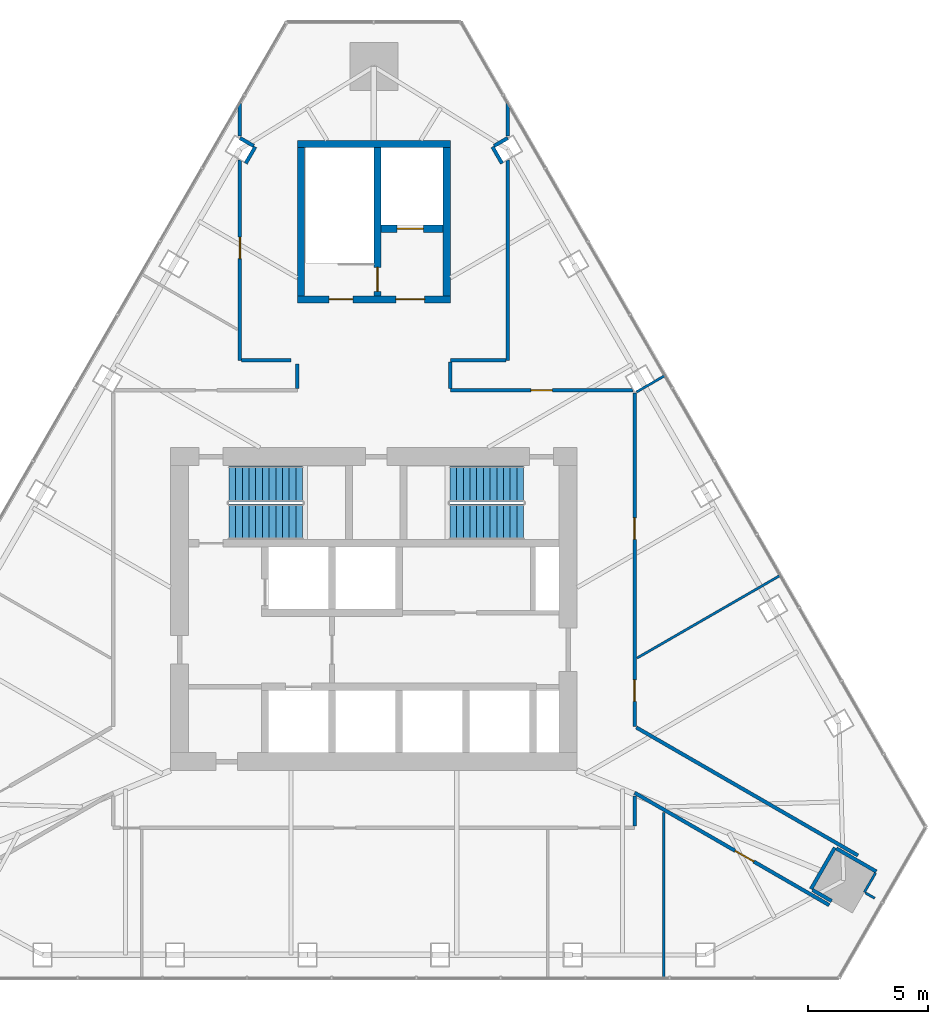
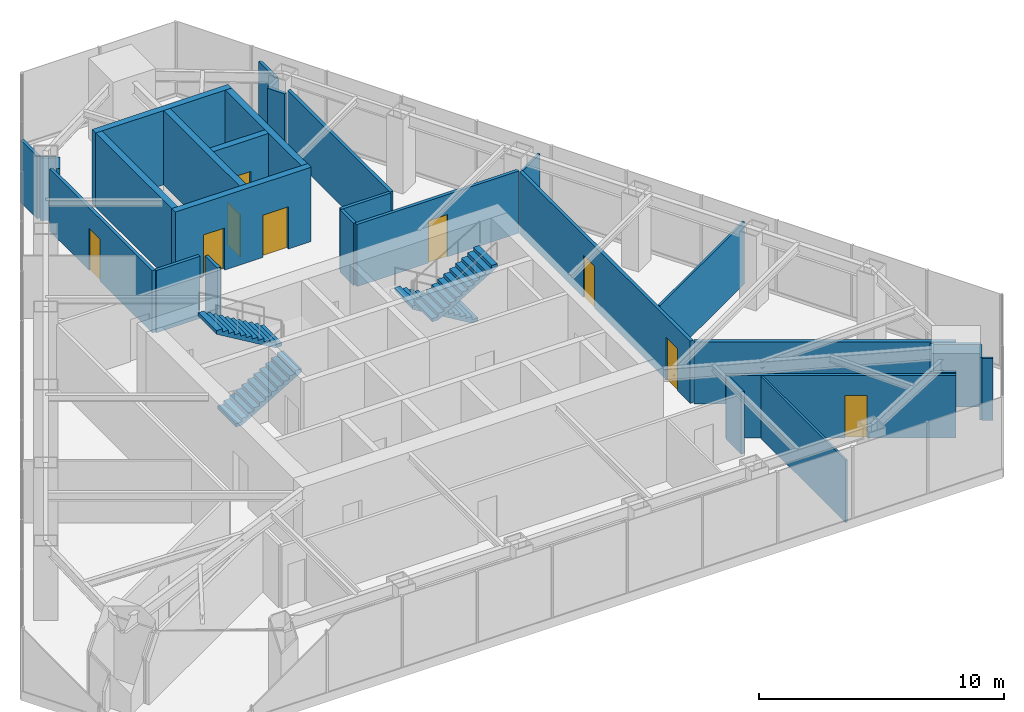
# One storey, part 12 of 13: 31 walls, 9 doors, 4 stair flights, 9 openings, 2 elements without a shape of their own.
"""IFC4 building model written with IfcOpenShell, lengths in metres."""

from ifc_helpers import new_model, si_unit, direction, frame, frame_2d, origin, place, context, subcontext, project, spatial, polyline, rectangle, outline, extrude, material, layer, layer_set, type_object, element, fill, aggregate, save


model = new_model("IFC4")

# Units and contexts
model_context = context("Model", 3, precision=1e-05, world=origin(), true_north=direction((0.0, 1.0)))
body_context = subcontext(model_context, "Body", "Model", "MODEL_VIEW")
ifc_project = project(units=[si_unit("LENGTHUNIT", "METRE"), si_unit("AREAUNIT", "SQUARE_METRE"), si_unit("VOLUMEUNIT", "CUBIC_METRE"), si_unit("PLANEANGLEUNIT", "RADIAN"), si_unit("MASSUNIT", "GRAM", prefix="KILO")], contexts=[model_context])

# Site, building, storey
site_placement = place(None, origin())
site = spatial("IfcSite", under=ifc_project, at=site_placement, CompositionType="ELEMENT")
building_placement = place(site_placement, origin())
building = spatial("IfcBuilding", under=site, at=building_placement, Name="Firuza Gate Tower and Library", CompositionType="ELEMENT")
storey_placement = place(building_placement, frame((0.0, 0.0, 335.60009765625)))
storey = spatial("IfcBuildingStorey", under=building, at=storey_placement, Name="L82", CompositionType="ELEMENT", Elevation=335.60009765625)

# Wall, openings, doors
ifc_material_1 = material(Name="Concrete C60/75", Category="concrete")
ifc_layer_1 = layer(ifc_material_1, 0.300048828125)
ifc_layer_set_1 = layer_set([ifc_layer_1], Name="Core wall 300 C60/75")
wall_type_1 = type_object("IfcWallType", Name="Core wall 300 C60/75", PredefinedType="SHEAR", material=ifc_layer_set_1)
wall_1_placement = place(storey_placement, frame((71.800048828125, 87.949951171875, 0.0), z_axis=(0.0, 0.0, 1.0), x_axis=(1.0, 0.0, 0.0)))
wall_1 = element("IfcWall", 1, at=wall_1_placement, inside=storey, type_object=wall_type_1, Name="Core wall L82 18", PredefinedType="SHEAR", context=body_context, shape_type="SweptSolid", body=[
    extrude(rectangle(XDim=6.39990234375, YDim=0.300048828125, at=frame_2d((3.199951171875, 0.0))), origin(), (0.0, 0.0, 1.0), 3.699951171875),
])
opening_1_placement = place(wall_1_placement, frame((1.324951171875, 0.0, 0.0)))
opening_1 = element("IfcOpeningElement", 2, at=opening_1_placement, cuts=wall_1, Name="Opening L82-K07", PredefinedType="OPENING", context=body_context, shape_type="SweptSolid", body=[
    extrude(rectangle(XDim=1.0, YDim=2.10009765625, at=frame_2d((0.5, 1.050048828125))), frame((0.0, 0.16015625, 0.0), z_axis=(0.0, -1.0, 0.0), x_axis=(1.0, 0.0, 0.0)), (0.0, 0.0, 1.0), 0.320068359375),
])
opening_2_placement = place(wall_1_placement, frame((4.125, 0.0, 0.0)))
opening_2 = element("IfcOpeningElement", 3, at=opening_2_placement, cuts=wall_1, Name="Opening L82-K09", PredefinedType="OPENING", context=body_context, shape_type="SweptSolid", body=[
    extrude(rectangle(XDim=1.199951171875, YDim=2.10009765625, at=frame_2d((0.60009765625, 1.050048828125))), frame((0.0, 0.16015625, 0.0), z_axis=(0.0, -1.0, 0.0), x_axis=(1.0, 0.0, 0.0)), (0.0, 0.0, 1.0), 0.320068359375),
])
ifc_material_2 = material(Name="Steel", Category="steel")
door_type_1 = type_object("IfcDoorType", Name="Fire door 1000x2100 FD90", OperationType="NOTDEFINED", PredefinedType="DOOR", material=ifc_material_2)
door_1_placement = place(opening_1_placement, origin())
door_1 = element("IfcDoor", 4, at=door_1_placement, inside=storey, type_object=door_type_1, Name="Door L82-K07", OperationType="SINGLE_SWING_RIGHT", OverallHeight=2.10009765625, OverallWidth=1.0, PredefinedType="DOOR", context=body_context, shape_type="SweptSolid", body=[
    extrude(rectangle(XDim=1.0, YDim=2.10009765625, at=frame_2d((0.5, 1.050048828125))), frame((0.0, 0.02490234375, 0.0), z_axis=(0.0, -1.0, 0.0), x_axis=(1.0, 0.0, 0.0)), (0.0, 0.0, 1.0), 0.050048828125),
])
fill(opening_1, door_1)
ifc_material_3 = material(Name="Steel", Category="steel")
door_type_2 = type_object("IfcDoorType", Name="Fire door 1200x2100 FD30S", OperationType="NOTDEFINED", PredefinedType="DOOR", material=ifc_material_3)
door_2_placement = place(opening_2_placement, origin())
door_2 = element("IfcDoor", 5, at=door_2_placement, inside=storey, type_object=door_type_2, Name="Door L82-K09", OperationType="SINGLE_SWING_RIGHT", OverallHeight=2.10009765625, OverallWidth=1.199951171875, PredefinedType="DOOR", context=body_context, shape_type="SweptSolid", body=[
    extrude(rectangle(XDim=1.199951171875, YDim=2.10009765625, at=frame_2d((0.60009765625, 1.050048828125))), frame((0.0, 0.02490234375, 0.0), z_axis=(0.0, -1.0, 0.0), x_axis=(1.0, 0.0, 0.0)), (0.0, 0.0, 1.0), 0.050048828125),
])
fill(opening_2, door_2)

# Walls
wall_2_placement = place(storey_placement, frame((71.800048828125, 94.449951171875, 0.0), z_axis=(0.0, 0.0, 1.0), x_axis=(1.0, 0.0, 0.0)))
element("IfcWall", 6, at=wall_2_placement, inside=storey, type_object=wall_type_1, Name="Core wall L82 19", PredefinedType="SHEAR", context=body_context, shape_type="SweptSolid", body=[
    extrude(rectangle(XDim=6.39990234375, YDim=0.300048828125, at=frame_2d((3.199951171875, 0.0))), origin(), (0.0, 0.0, 1.0), 3.699951171875),
])
for number, where, z_axis, x_axis, name in (
    (7, (71.949951171875, 88.10009765625, 0.0), (0.0, 0.0, 1.0), (0.0, 1.0, 0.0), "Core wall L82 20"),
    (8, (78.050048828125, 88.10009765625, 0.0), (0.0, 0.0, 1.0), (0.0, 1.0, 0.0), "Core wall L82 21"),
):
    element("IfcWall", number, at=place(storey_placement, frame(where, z_axis=z_axis, x_axis=x_axis)), inside=storey, type_object=wall_type_1, Name=name, PredefinedType="SHEAR", context=body_context, shape_type="SweptSolid", body=[
        extrude(rectangle(XDim=6.199951171875, YDim=0.300048828125, at=frame_2d((3.10009765625, 0.0))), origin(), (0.0, 0.0, 1.0), 3.699951171875),
    ])

# Wall, opening, door
wall_3_placement = place(storey_placement, frame((75.300048828125, 90.89990234375, 0.0), z_axis=(0.0, 0.0, 1.0), x_axis=(1.0, 0.0, 0.0)))
wall_3 = element("IfcWall", 9, at=wall_3_placement, inside=storey, type_object=wall_type_1, Name="Core wall L82 22", PredefinedType="SHEAR", context=body_context, shape_type="SweptSolid", body=[
    extrude(rectangle(XDim=2.599853515625, YDim=0.300048828125, at=frame_2d((1.2998046875, 0.0))), origin(), (0.0, 0.0, 1.0), 3.699951171875),
])
opening_3_placement = place(wall_3_placement, frame((0.675048828125, 0.0, 0.0)))
opening_3 = element("IfcOpeningElement", 10, at=opening_3_placement, cuts=wall_3, Name="Opening LD-SV1-L82", PredefinedType="OPENING", context=body_context, shape_type="SweptSolid", body=[
    extrude(rectangle(XDim=1.10009765625, YDim=2.10009765625, at=frame_2d((0.550048828125, 1.050048828125))), frame((0.0, 0.16015625, 0.0), z_axis=(0.0, -1.0, 0.0), x_axis=(1.0, 0.0, 0.0)), (0.0, 0.0, 1.0), 0.320068359375),
])
ifc_material_4 = material(Name="Stainless steel", Category="steel")
door_type_3 = type_object("IfcDoorType", Name="Lift landing door 1100x2100", OperationType="DOUBLE_DOOR_SLIDING", PredefinedType="DOOR", material=ifc_material_4)
door_3_placement = place(opening_3_placement, origin())
door_3 = element("IfcDoor", 11, at=door_3_placement, inside=storey, type_object=door_type_3, Name="Landing door SV1 L82", OperationType="DOUBLE_DOOR_SLIDING", OverallHeight=2.10009765625, OverallWidth=1.10009765625, PredefinedType="DOOR", context=body_context, shape_type="SweptSolid", body=[
    extrude(rectangle(XDim=1.10009765625, YDim=2.10009765625, at=frame_2d((0.550048828125, 1.050048828125))), frame((0.0, 0.02490234375, 0.0), z_axis=(0.0, -1.0, 0.0), x_axis=(1.0, 0.0, 0.0)), (0.0, 0.0, 1.0), 0.050048828125),
])
fill(opening_3, door_3)

wall_4_placement = place(storey_placement, frame((75.14990234375, 88.10009765625, 0.0), z_axis=(0.0, 0.0, 1.0), x_axis=(0.0, 1.0, 0.0)))
wall_4 = element("IfcWall", 12, at=wall_4_placement, inside=storey, type_object=wall_type_1, Name="Core wall L82 23", PredefinedType="SHEAR", context=body_context, shape_type="SweptSolid", body=[
    extrude(rectangle(XDim=6.199951171875, YDim=0.300048828125, at=frame_2d((3.10009765625, 0.0))), origin(), (0.0, 0.0, 1.0), 3.699951171875),
])
opening_4_placement = place(wall_4_placement, frame((0.18505859375, 0.0, 0.0)))
opening_4 = element("IfcOpeningElement", 13, at=opening_4_placement, cuts=wall_4, Name="Opening L82-K08", PredefinedType="OPENING", context=body_context, shape_type="SweptSolid", body=[
    extrude(rectangle(XDim=1.0, YDim=2.10009765625, at=frame_2d((0.5, 1.050048828125))), frame((0.0, 0.16015625, 0.0), z_axis=(0.0, -1.0, 0.0), x_axis=(1.0, 0.0, 0.0)), (0.0, 0.0, 1.0), 0.320068359375),
])
door_4_placement = place(opening_4_placement, origin())
door_4 = element("IfcDoor", 14, at=door_4_placement, inside=storey, type_object=door_type_1, Name="Door L82-K08", OperationType="SINGLE_SWING_LEFT", OverallHeight=2.10009765625, OverallWidth=1.0, PredefinedType="DOOR", context=body_context, shape_type="SweptSolid", body=[
    extrude(rectangle(XDim=1.0, YDim=2.10009765625, at=frame_2d((0.5, 1.050048828125))), frame((0.0, 0.02490234375, 0.0), z_axis=(0.0, -1.0, 0.0), x_axis=(1.0, 0.0, 0.0)), (0.0, 0.0, 1.0), 0.050048828125),
])
fill(opening_4, door_4)

ifc_material_5 = material(Name="Gypsum board partition")
ifc_layer_2 = layer(ifc_material_5, 0.14990234375)
ifc_layer_set_2 = layer_set([ifc_layer_2], Name="Corridor wall 150 double board on steel studs")
wall_type_2 = type_object("IfcWallType", Name="Corridor wall 150 double board on steel studs", PredefinedType="PARTITIONING", material=ifc_layer_set_2)
wall_5_placement = place(storey_placement, frame((78.199951171875, 84.14990234375, 0.0), z_axis=(0.0, 0.0, 1.0), x_axis=(1.0, 0.0, 0.0)))
wall_5 = element("IfcWall", 15, at=wall_5_placement, inside=storey, type_object=wall_type_2, Name="f:L82:w002", PredefinedType="PARTITIONING", context=body_context, shape_type="SweptSolid", body=[
    extrude(rectangle(XDim=7.6337890625, YDim=0.14990234375, at=frame_2d((3.81689453125, 0.0))), origin(), (0.0, 0.0, 1.0), 3.099853515625),
])
opening_5_placement = place(wall_5_placement, frame((3.366943359375, 0.0, 0.0)))
opening_5 = element("IfcOpeningElement", 16, at=opening_5_placement, cuts=wall_5, Name="Opening L82-05", PredefinedType="OPENING", context=body_context, shape_type="SweptSolid", body=[
    extrude(rectangle(XDim=0.89990234375, YDim=2.10009765625, at=frame_2d((0.449951171875, 1.050048828125))), frame((0.0, 0.0849609375, 0.0), z_axis=(0.0, -1.0, 0.0), x_axis=(1.0, 0.0, 0.0)), (0.0, 0.0, 1.0), 0.169921875),
])
ifc_material_6 = material(Name="Steel door and timber leaf", Category="steel")
door_type_4 = type_object("IfcDoorType", Name="Fire door 900 x 2100 steel frame, timber leaf", OperationType="NOTDEFINED", PredefinedType="DOOR", material=ifc_material_6)
door_5_placement = place(opening_5_placement, origin())
door_5 = element("IfcDoor", 17, at=door_5_placement, inside=storey, type_object=door_type_4, Name="f:L82:d005", OperationType="SINGLE_SWING_LEFT", OverallHeight=2.10009765625, OverallWidth=0.89990234375, PredefinedType="DOOR", context=body_context, shape_type="SweptSolid", body=[
    extrude(rectangle(XDim=0.89990234375, YDim=2.10009765625, at=frame_2d((0.449951171875, 1.050048828125))), frame((0.0, 0.02490234375, 0.0), z_axis=(0.0, -1.0, 0.0), x_axis=(1.0, 0.0, 0.0)), (0.0, 0.0, 1.0), 0.050048828125),
])
fill(opening_5, door_5)

# Walls
wall_6_placement = place(storey_placement, frame((69.4755859375, 85.39990234375, 0.0), z_axis=(0.0, 0.0, 1.0), x_axis=(1.0, 0.0, 0.0)))
element("IfcWall", 18, at=wall_6_placement, inside=storey, type_object=wall_type_2, Name="f:L82:w003", PredefinedType="PARTITIONING", context=body_context, shape_type="SweptSolid", body=[
    extrude(rectangle(XDim=2.06103515625, YDim=0.14990234375, at=frame_2d((1.030517578125, 0.0))), origin(), (0.0, 0.0, 1.0), 3.099853515625),
])
wall_7_placement = place(storey_placement, frame((78.199951171875, 85.39990234375, 0.0), z_axis=(0.0, 0.0, 1.0), x_axis=(1.0, 0.0, 0.0)))
element("IfcWall", 19, at=wall_7_placement, inside=storey, type_object=wall_type_2, Name="f:L82:w004", PredefinedType="PARTITIONING", context=body_context, shape_type="SweptSolid", body=[
    extrude(rectangle(XDim=2.324462890625, YDim=0.14990234375, at=frame_2d((1.162109375, 0.0))), origin(), (0.0, 0.0, 1.0), 3.099853515625),
])
wall_8_placement = place(storey_placement, frame((80.0244140625, 94.363525390625, 0.0), z_axis=(0.0, 0.0, 1.0), x_axis=(0.865995903571, 0.500051092388, 0.0)))
element("IfcWall", 20, at=wall_8_placement, inside=storey, type_object=wall_type_2, Name="f:L82:w012", PredefinedType="PARTITIONING", context=body_context, shape_type="SweptSolid", body=[
    extrude(rectangle(XDim=0.66455078125, YDim=0.14990234375, at=frame_2d((0.332275390625, 0.0))), origin(), (0.0, 0.0, 1.0), 3.099853515625),
])
wall_9_placement = place(storey_placement, frame((93.27587890625, 63.29443359375, 0.0), z_axis=(0.0, 0.0, 1.0), x_axis=(0.499909240568, 0.866077797426, 0.0)))
element("IfcWall", 21, at=wall_9_placement, inside=storey, type_object=wall_type_2, Name="f:L82:w014", PredefinedType="PARTITIONING", context=body_context, shape_type="SweptSolid", body=[
    extrude(rectangle(XDim=1.998779296875, YDim=0.14990234375, at=frame_2d((0.99951171875, 0.0))), origin(), (0.0, 0.0, 1.0), 3.096923828125),
])
wall_10_placement = place(storey_placement, frame((69.640869140625, 93.633544921875, 0.0), z_axis=(0.0, 0.0, 1.0), x_axis=(0.500048565365, 0.865997362742, 0.0)))
element("IfcWall", 22, at=wall_10_placement, inside=storey, type_object=wall_type_2, Name="f:L82:w015", PredefinedType="PARTITIONING", context=body_context, shape_type="SweptSolid", body=[
    extrude(rectangle(XDim=0.79931640625, YDim=0.14990234375, at=frame_2d((0.399658203125, 0.0))), origin(), (0.0, 0.0, 1.0), 3.099853515625),
])
wall_11_placement = place(storey_placement, frame((85.89990234375, 65.925537109375, 0.0), z_axis=(0.0, 0.0, 1.0), x_axis=(0.0, 1.0, 0.0)))
element("IfcWall", 23, at=wall_11_placement, inside=storey, type_object=wall_type_2, Name="f:L82:w017", PredefinedType="PARTITIONING", context=body_context, shape_type="SweptSolid", body=[
    extrude(rectangle(XDim=1.259033203125, YDim=0.14990234375, at=frame_2d((0.62939453125, 0.0))), origin(), (0.0, 0.0, 1.0), 3.096923828125),
])

# Wall, openings, doors
wall_12_placement = place(storey_placement, frame((85.89990234375, 84.03564453125, 0.0), z_axis=(0.0, 0.0, 1.0), x_axis=(0.0, -1.0, 0.0)))
wall_12 = element("IfcWall", 24, at=wall_12_placement, inside=storey, type_object=wall_type_2, Name="f:L82:w018", PredefinedType="PARTITIONING", context=body_context, shape_type="SweptSolid", body=[
    extrude(rectangle(XDim=13.943115234375, YDim=0.14990234375, at=frame_2d((6.9716796875, 0.0))), origin(), (0.0, 0.0, 1.0), 3.099853515625),
])
opening_6_placement = place(wall_12_placement, frame((5.222900390625, 0.0, 0.0)))
opening_6 = element("IfcOpeningElement", 25, at=opening_6_placement, cuts=wall_12, Name="Opening L82-07", PredefinedType="OPENING", context=body_context, shape_type="SweptSolid", body=[
    extrude(rectangle(XDim=0.89990234375, YDim=2.10009765625, at=frame_2d((0.449951171875, 1.050048828125))), frame((0.0, 0.0849609375, 0.0), z_axis=(0.0, -1.0, 0.0), x_axis=(1.0, 0.0, 0.0)), (0.0, 0.0, 1.0), 0.169921875),
])
opening_7_placement = place(wall_12_placement, frame((11.9912109375, 0.0, 0.0)))
opening_7 = element("IfcOpeningElement", 26, at=opening_7_placement, cuts=wall_12, Name="Opening L82-08", PredefinedType="OPENING", context=body_context, shape_type="SweptSolid", body=[
    extrude(rectangle(XDim=0.89990234375, YDim=2.10009765625, at=frame_2d((0.449951171875, 1.050048828125))), frame((0.0, 0.0849609375, 0.0), z_axis=(0.0, -1.0, 0.0), x_axis=(1.0, 0.0, 0.0)), (0.0, 0.0, 1.0), 0.169921875),
])
door_6_placement = place(opening_6_placement, origin())
door_6 = element("IfcDoor", 27, at=door_6_placement, inside=storey, type_object=door_type_4, Name="f:L82:d007", OperationType="SINGLE_SWING_LEFT", OverallHeight=2.10009765625, OverallWidth=0.89990234375, PredefinedType="DOOR", context=body_context, shape_type="SweptSolid", body=[
    extrude(rectangle(XDim=0.89990234375, YDim=2.10009765625, at=frame_2d((0.449951171875, 1.050048828125))), frame((0.0, 0.02490234375, 0.0), z_axis=(0.0, -1.0, 0.0), x_axis=(1.0, 0.0, 0.0)), (0.0, 0.0, 1.0), 0.050048828125),
])
fill(opening_6, door_6)
door_7_placement = place(opening_7_placement, origin())
door_7 = element("IfcDoor", 28, at=door_7_placement, inside=storey, type_object=door_type_4, Name="f:L82:d008", OperationType="SINGLE_SWING_RIGHT", OverallHeight=2.10009765625, OverallWidth=0.89990234375, PredefinedType="DOOR", context=body_context, shape_type="SweptSolid", body=[
    extrude(rectangle(XDim=0.89990234375, YDim=2.10009765625, at=frame_2d((0.449951171875, 1.050048828125))), frame((0.0, 0.02490234375, 0.0), z_axis=(0.0, -1.0, 0.0), x_axis=(1.0, 0.0, 0.0)), (0.0, 0.0, 1.0), 0.050048828125),
])
fill(opening_7, door_7)

# Walls
wall_13_placement = place(storey_placement, frame((80.60009765625, 85.400634765625, 0.0), z_axis=(0.0, 0.0, 1.0), x_axis=(0.0, 1.0, 0.0)))
element("IfcWall", 29, at=wall_13_placement, inside=storey, type_object=wall_type_2, Name="f:L82:w020", PredefinedType="PARTITIONING", context=body_context, shape_type="SweptSolid", body=[
    extrude(rectangle(XDim=8.37060546875, YDim=0.14990234375, at=frame_2d((4.185302734375, 0.0))), origin(), (0.0, 0.0, 1.0), 3.099853515625),
])
wall_14_placement = place(storey_placement, frame((80.60009765625, 94.78271484375, 0.0), z_axis=(0.0, 0.0, 1.0), x_axis=(0.0, 1.0, 0.0)))
element("IfcWall", 30, at=wall_14_placement, inside=storey, type_object=wall_type_2, Name="f:L82:w021", PredefinedType="PARTITIONING", context=body_context, shape_type="SweptSolid", body=[
    extrude(rectangle(XDim=1.352783203125, YDim=0.14990234375, at=frame_2d((0.67626953125, 0.0))), origin(), (0.0, 0.0, 1.0), 3.099853515625),
])
wall_15_placement = place(storey_placement, frame((78.199951171875, 84.22509765625, 0.0), z_axis=(0.0, 0.0, 1.0), x_axis=(0.0, 1.0, 0.0)))
element("IfcWall", 31, at=wall_15_placement, inside=storey, type_object=wall_type_2, Name="f:L82:w022", PredefinedType="PARTITIONING", context=body_context, shape_type="SweptSolid", body=[
    extrude(rectangle(XDim=1.099853515625, YDim=0.14990234375, at=frame_2d((0.5498046875, 0.0))), origin(), (0.0, 0.0, 1.0), 3.099853515625),
])
wall_16_placement = place(storey_placement, frame((71.800048828125, 84.22509765625, 0.0), z_axis=(0.0, 0.0, 1.0), x_axis=(0.0, 1.0, 0.0)))
element("IfcWall", 32, at=wall_16_placement, inside=storey, type_object=wall_type_2, Name="f:L82:w023", PredefinedType="PARTITIONING", context=body_context, shape_type="SweptSolid", body=[
    extrude(rectangle(XDim=1.02294921875, YDim=0.14990234375, at=frame_2d((0.511474609375, 0.0))), origin(), (0.0, 0.0, 1.0), 3.099853515625),
])

# Wall, opening, door
wall_17_placement = place(storey_placement, frame((69.39990234375, 85.400390625, 0.0), z_axis=(0.0, 0.0, 1.0), x_axis=(0.0, 1.0, 0.0)))
wall_17 = element("IfcWall", 33, at=wall_17_placement, inside=storey, type_object=wall_type_2, Name="f:L82:w024", PredefinedType="PARTITIONING", context=body_context, shape_type="SweptSolid", body=[
    extrude(rectangle(XDim=8.370849609375, YDim=0.14990234375, at=frame_2d((4.185546875, 0.0))), origin(), (0.0, 0.0, 1.0), 3.099853515625),
])
opening_8_placement = place(wall_17_placement, frame((4.25048828125, 0.0, 0.0)))
opening_8 = element("IfcOpeningElement", 34, at=opening_8_placement, cuts=wall_17, Name="Opening L82-09", PredefinedType="OPENING", context=body_context, shape_type="SweptSolid", body=[
    extrude(rectangle(XDim=0.89990234375, YDim=2.10009765625, at=frame_2d((0.449951171875, 1.050048828125))), frame((0.0, 0.0849609375, 0.0), z_axis=(0.0, -1.0, 0.0), x_axis=(1.0, 0.0, 0.0)), (0.0, 0.0, 1.0), 0.169921875),
])
door_8_placement = place(opening_8_placement, origin())
door_8 = element("IfcDoor", 35, at=door_8_placement, inside=storey, type_object=door_type_4, Name="f:L82:d009", OperationType="SINGLE_SWING_RIGHT", OverallHeight=2.10009765625, OverallWidth=0.89990234375, PredefinedType="DOOR", context=body_context, shape_type="SweptSolid", body=[
    extrude(rectangle(XDim=0.89990234375, YDim=2.10009765625, at=frame_2d((0.449951171875, 1.050048828125))), frame((0.0, 0.02490234375, 0.0), z_axis=(0.0, -1.0, 0.0), x_axis=(1.0, 0.0, 0.0)), (0.0, 0.0, 1.0), 0.050048828125),
])
fill(opening_8, door_8)

# Walls
wall_18_placement = place(storey_placement, frame((69.39990234375, 94.78271484375, 0.0), z_axis=(0.0, 0.0, 1.0), x_axis=(0.0, 1.0, 0.0)))
element("IfcWall", 36, at=wall_18_placement, inside=storey, type_object=wall_type_2, Name="f:L82:w025", PredefinedType="PARTITIONING", context=body_context, shape_type="SweptSolid", body=[
    extrude(rectangle(XDim=1.352783203125, YDim=0.14990234375, at=frame_2d((0.67626953125, 0.0))), origin(), (0.0, 0.0, 1.0), 3.099853515625),
])
wall_19_placement = place(storey_placement, frame((80.3583984375, 93.63330078125, 0.0), z_axis=(0.0, 0.0, 1.0), x_axis=(-0.499951716245, 0.866053278629, 0.0)))
element("IfcWall", 37, at=wall_19_placement, inside=storey, type_object=wall_type_2, Name="f:L82:w029", PredefinedType="PARTITIONING", context=body_context, shape_type="SweptSolid", body=[
    extrude(rectangle(XDim=0.798828125, YDim=0.14990234375, at=frame_2d((0.3994140625, 0.0))), origin(), (0.0, 0.0, 1.0), 3.099853515625),
])
wall_20_placement = place(storey_placement, frame((69.9755859375, 94.363525390625, 0.0), z_axis=(0.0, 0.0, 1.0), x_axis=(-0.865995903571, 0.500051092388, 0.0)))
element("IfcWall", 38, at=wall_20_placement, inside=storey, type_object=wall_type_2, Name="f:L82:w032", PredefinedType="PARTITIONING", context=body_context, shape_type="SweptSolid", body=[
    extrude(rectangle(XDim=0.66455078125, YDim=0.14990234375, at=frame_2d((0.332275390625, 0.0))), origin(), (0.0, 0.0, 1.0), 3.099853515625),
])
wall_21_placement = place(storey_placement, frame((95.24072265625, 64.69970703125, 0.0), z_axis=(0.0, 0.0, 1.0), x_axis=(-0.866021425885, 0.500006889861, 0.0)))
element("IfcWall", 39, at=wall_21_placement, inside=storey, type_object=wall_type_2, Name="f:L82:w034", PredefinedType="PARTITIONING", context=body_context, shape_type="SweptSolid", body=[
    extrude(rectangle(XDim=10.698974609375, YDim=0.14990234375, at=frame_2d((5.349609375, 0.0))), origin(), (0.0, 0.0, 1.0), 3.099853515625),
])
wall_22_placement = place(storey_placement, frame((96.0068359375, 64.026611328125, 0.0), z_axis=(0.0, 0.0, 1.0), x_axis=(-0.866048237946, 0.499960447986, 0.0)))
element("IfcWall", 40, at=wall_22_placement, inside=storey, type_object=wall_type_2, Name="f:L82:w035", PredefinedType="PARTITIONING", context=body_context, shape_type="SweptSolid", body=[
    extrude(rectangle(XDim=1.924072265625, YDim=0.14990234375, at=frame_2d((0.9619140625, 0.0))), origin(), (0.0, 0.0, 1.0), 3.099853515625),
])
wall_23_placement = place(storey_placement, frame((94.140869140625, 62.79443359375, 0.0), z_axis=(0.0, 0.0, 1.0), x_axis=(-0.865974401185, 0.500088328689, 0.0)))
element("IfcWall", 41, at=wall_23_placement, inside=storey, type_object=wall_type_2, Name="f:L82:w037", PredefinedType="PARTITIONING", context=body_context, shape_type="SweptSolid", body=[
    extrude(rectangle(XDim=0.924072265625, YDim=0.14990234375, at=frame_2d((0.4619140625, 0.0))), origin(), (0.0, 0.0, 1.0), 3.099853515625),
])

# Wall, opening, door
wall_24_placement = place(storey_placement, frame((94.040771484375, 62.621337890625, 0.0), z_axis=(0.0, 0.0, 1.0), x_axis=(-0.866027286158, 0.499996739618, 0.0)))
wall_24 = element("IfcWall", 42, at=wall_24_placement, inside=storey, type_object=wall_type_2, Name="f:L82:w038", PredefinedType="PARTITIONING", context=body_context, shape_type="SweptSolid", body=[
    extrude(rectangle(XDim=9.39990234375, YDim=0.14990234375, at=frame_2d((4.699951171875, 0.0))), origin(), (0.0, 0.0, 1.0), 3.096923828125),
])
opening_9_placement = place(wall_24_placement, frame((3.644287109375, 0.0, 0.0)))
opening_9 = element("IfcOpeningElement", 43, at=opening_9_placement, cuts=wall_24, Name="Opening L82-10", PredefinedType="OPENING", context=body_context, shape_type="SweptSolid", body=[
    extrude(rectangle(XDim=0.89990234375, YDim=2.10009765625, at=frame_2d((0.449951171875, 1.050048828125))), frame((0.0, 0.0849609375, 0.0), z_axis=(0.0, -1.0, 0.0), x_axis=(1.0, 0.0, 0.0)), (0.0, 0.0, 1.0), 0.169921875),
])
door_9_placement = place(opening_9_placement, origin())
door_9 = element("IfcDoor", 44, at=door_9_placement, inside=storey, type_object=door_type_4, Name="f:L82:d010", OperationType="SINGLE_SWING_RIGHT", OverallHeight=2.10009765625, OverallWidth=0.89990234375, PredefinedType="DOOR", context=body_context, shape_type="SweptSolid", body=[
    extrude(rectangle(XDim=0.89990234375, YDim=2.10009765625, at=frame_2d((0.449951171875, 1.050048828125))), frame((0.0, 0.02490234375, 0.0), z_axis=(0.0, -1.0, 0.0), x_axis=(1.0, 0.0, 0.0)), (0.0, 0.0, 1.0), 0.050048828125),
])
fill(opening_9, door_9)

# Walls
ifc_material_7 = material(Name="Gypsum board partition")
ifc_layer_3 = layer(ifc_material_7, 0.10009765625)
ifc_layer_set_3 = layer_set([ifc_layer_3], Name="Partition 100 gypsum board on steel studs")
wall_type_3 = type_object("IfcWallType", Name="Partition 100 gypsum board on steel studs", PredefinedType="PARTITIONING", material=ifc_layer_set_3)
wall_25_placement = place(storey_placement, frame((86.0009765625, 72.951171875, 0.0), z_axis=(0.0, 0.0, 1.0), x_axis=(0.866038012538, 0.499978160363, 0.0)))
element("IfcWall", 45, at=wall_25_placement, inside=storey, type_object=wall_type_3, Name="f:L82:w005", PredefinedType="PARTITIONING", context=body_context, shape_type="SweptSolid", body=[
    extrude(rectangle(XDim=6.914794921875, YDim=0.10009765625, at=frame_2d((3.45751953125, 0.0))), origin(), (0.0, 0.0, 1.0), 3.087890625),
])
wall_26_placement = place(storey_placement, frame((85.9775390625, 84.07568359375, 0.0), z_axis=(0.0, 0.0, 1.0), x_axis=(0.866001980287, 0.500040568494, 0.0)))
element("IfcWall", 46, at=wall_26_placement, inside=storey, type_object=wall_type_3, Name="f:L82:w011", PredefinedType="PARTITIONING", context=body_context, shape_type="SweptSolid", body=[
    extrude(rectangle(XDim=1.373046875, YDim=0.10009765625, at=frame_2d((0.6865234375, 0.0))), origin(), (0.0, 0.0, 1.0), 3.087890625),
])
wall_27_placement = place(storey_placement, frame((95.507568359375, 63.159912109375, 0.0), z_axis=(0.0, 0.0, 1.0), x_axis=(0.499859604386, 0.866106446058, 0.0)))
element("IfcWall", 47, at=wall_27_placement, inside=storey, type_object=wall_type_3, Name="f:L82:w013", PredefinedType="PARTITIONING", context=body_context, shape_type="SweptSolid", body=[
    extrude(rectangle(XDim=0.924560546875, YDim=0.10009765625, at=frame_2d((0.46240234375, 0.0))), origin(), (0.0, 0.0, 1.0), 3.099853515625),
])
wall_28_placement = place(storey_placement, frame((87.125, 59.58251953125, 0.0), z_axis=(0.0, 0.0, 1.0), x_axis=(0.0, 1.0, 0.0)))
element("IfcWall", 48, at=wall_28_placement, inside=storey, type_object=wall_type_3, Name="f:L82:w016", PredefinedType="PARTITIONING", context=body_context, shape_type="SweptSolid", body=[
    extrude(rectangle(XDim=6.914794921875, YDim=0.10009765625, at=frame_2d((3.45751953125, 0.0))), origin(), (0.0, 0.0, 1.0), 3.099853515625),
])
wall_29_placement = place(storey_placement, frame((95.940185546875, 62.91015625, 0.0), z_axis=(0.0, 0.0, 1.0), x_axis=(-0.866083962871, 0.499898558967, 0.0)))
element("IfcWall", 49, at=wall_29_placement, inside=storey, type_object=wall_type_3, Name="f:L82:w036", PredefinedType="PARTITIONING", context=body_context, shape_type="SweptSolid", body=[
    extrude(rectangle(XDim=0.43994140625, YDim=0.10009765625, at=frame_2d((0.219970703125, 0.0))), origin(), (0.0, 0.0, 1.0), 3.099853515625),
])

# Stair, stair flights
ifc_material_8 = material(Name="Concrete C35/45", Category="concrete")
stair_type = type_object("IfcStairType", Name="Exit stair ST9", PredefinedType="HALF_TURN_STAIR", material=ifc_material_8)
placement = place(storey_placement, origin())
stair_1 = element("IfcStair", 50, at=placement, inside=storey, type_object=stair_type, Name="L82 Stair ST1", PredefinedType="HALF_TURN_STAIR")
ifc_material_9 = material(Name="Concrete C35/45", Category="concrete")
stair_flight_type = type_object("IfcStairFlightType", Name="Stair flight 12 risers 166.7 width 1490", PredefinedType="STRAIGHT", material=ifc_material_9)
stair_flight_1_placement = place(storey_placement, frame((68.93994140625, 78.64501953125, 0.0), z_axis=(0.0, 0.0, 1.0), x_axis=(1.0, 0.0, 0.0)))
stair_flight_1 = element("IfcStairFlight", 51, at=stair_flight_1_placement, type_object=stair_flight_type, Name="ST1 flight 1", NumberOfRisers=12, NumberOfTreads=11, PredefinedType="STRAIGHT", RiserHeight=0.166666667, TreadLength=0.28, context=body_context, shape_type="SweptSolid", body=[
    extrude(outline(polyline([(0.0, 0.0), (0.0, 0.166748046875), (0.280029296875, 0.166748046875), (0.280029296875, 0.333251953125), (0.56005859375, 0.333251953125), (0.56005859375, 0.5), (0.840087890625, 0.5), (0.840087890625, 0.666748046875), (1.1201171875, 0.666748046875), (1.1201171875, 0.833251953125), (1.39990234375, 0.833251953125), (1.39990234375, 1.0), (1.679931640625, 1.0), (1.679931640625, 1.166748046875), (1.9599609375, 1.166748046875), (1.9599609375, 1.333251953125), (2.239990234375, 1.333251953125), (2.239990234375, 1.5), (2.52001953125, 1.5), (2.52001953125, 1.666748046875), (2.800048828125, 1.666748046875), (2.800048828125, 1.833251953125), (3.080078125, 1.833251953125), (3.080078125, 2.0), (3.080078125, 1.658935546875), (0.29296875, 0.0), (0.0, 0.0)])), frame((0.0, 0.7451171875, 0.0), z_axis=(0.0, -1.0, 0.0), x_axis=(1.0, 0.0, 0.0)), (0.0, 0.0, 1.0), 1.489990234375),
])
stair_flight_2_placement = place(storey_placement, frame((72.02001953125, 80.235107421875, 2.0), z_axis=(0.0, 0.0, 1.0), x_axis=(-1.0, 0.0, 0.0)))
stair_flight_2 = element("IfcStairFlight", 52, at=stair_flight_2_placement, type_object=stair_flight_type, Name="ST1 flight 2", NumberOfRisers=12, NumberOfTreads=11, PredefinedType="STRAIGHT", RiserHeight=0.166666667, TreadLength=0.28, context=body_context, shape_type="SweptSolid", body=[
    extrude(outline(polyline([(0.0, 0.0), (0.0, 0.166748046875), (0.280029296875, 0.166748046875), (0.280029296875, 0.333251953125), (0.56005859375, 0.333251953125), (0.56005859375, 0.5), (0.840087890625, 0.5), (0.840087890625, 0.666748046875), (1.1201171875, 0.666748046875), (1.1201171875, 0.833251953125), (1.39990234375, 0.833251953125), (1.39990234375, 1.0), (1.679931640625, 1.0), (1.679931640625, 1.166748046875), (1.9599609375, 1.166748046875), (1.9599609375, 1.333251953125), (2.239990234375, 1.333251953125), (2.239990234375, 1.5), (2.52001953125, 1.5), (2.52001953125, 1.666748046875), (2.800048828125, 1.666748046875), (2.800048828125, 1.833251953125), (3.080078125, 1.833251953125), (3.080078125, 2.0), (3.080078125, 1.658935546875), (0.29296875, 0.0), (0.0, 0.0)])), frame((0.0, 0.7451171875, 0.0), z_axis=(0.0, -1.0, 0.0), x_axis=(1.0, 0.0, 0.0)), (0.0, 0.0, 1.0), 1.489990234375),
])
aggregate(stair_1, [stair_flight_1, stair_flight_2])

stair_2 = element("IfcStair", 53, at=placement, inside=storey, type_object=stair_type, Name="L82 Stair ST2", PredefinedType="HALF_TURN_STAIR")
stair_flight_3_placement = place(storey_placement, frame((81.260009765625, 80.235107421875, 0.0), z_axis=(0.0, 0.0, 1.0), x_axis=(-1.0, 0.0, 0.0)))
stair_flight_3 = element("IfcStairFlight", 54, at=stair_flight_3_placement, type_object=stair_flight_type, Name="ST2 flight 1", NumberOfRisers=12, NumberOfTreads=11, PredefinedType="STRAIGHT", RiserHeight=0.166666667, TreadLength=0.28, context=body_context, shape_type="SweptSolid", body=[
    extrude(outline(polyline([(0.0, 0.0), (0.0, 0.166748046875), (0.280029296875, 0.166748046875), (0.280029296875, 0.333251953125), (0.56005859375, 0.333251953125), (0.56005859375, 0.5), (0.840087890625, 0.5), (0.840087890625, 0.666748046875), (1.1201171875, 0.666748046875), (1.1201171875, 0.833251953125), (1.39990234375, 0.833251953125), (1.39990234375, 1.0), (1.679931640625, 1.0), (1.679931640625, 1.166748046875), (1.9599609375, 1.166748046875), (1.9599609375, 1.333251953125), (2.239990234375, 1.333251953125), (2.239990234375, 1.5), (2.52001953125, 1.5), (2.52001953125, 1.666748046875), (2.800048828125, 1.666748046875), (2.800048828125, 1.833251953125), (3.080078125, 1.833251953125), (3.080078125, 2.0), (3.080078125, 1.658935546875), (0.29296875, 0.0), (0.0, 0.0)])), frame((0.0, 0.7451171875, 0.0), z_axis=(0.0, -1.0, 0.0), x_axis=(1.0, 0.0, 0.0)), (0.0, 0.0, 1.0), 1.489990234375),
])
stair_flight_4_placement = place(storey_placement, frame((78.179931640625, 78.64501953125, 2.0), z_axis=(0.0, 0.0, 1.0), x_axis=(1.0, 0.0, 0.0)))
stair_flight_4 = element("IfcStairFlight", 55, at=stair_flight_4_placement, type_object=stair_flight_type, Name="ST2 flight 2", NumberOfRisers=12, NumberOfTreads=11, PredefinedType="STRAIGHT", RiserHeight=0.166666667, TreadLength=0.28, context=body_context, shape_type="SweptSolid", body=[
    extrude(outline(polyline([(0.0, 0.0), (0.0, 0.166748046875), (0.280029296875, 0.166748046875), (0.280029296875, 0.333251953125), (0.56005859375, 0.333251953125), (0.56005859375, 0.5), (0.840087890625, 0.5), (0.840087890625, 0.666748046875), (1.1201171875, 0.666748046875), (1.1201171875, 0.833251953125), (1.39990234375, 0.833251953125), (1.39990234375, 1.0), (1.679931640625, 1.0), (1.679931640625, 1.166748046875), (1.9599609375, 1.166748046875), (1.9599609375, 1.333251953125), (2.239990234375, 1.333251953125), (2.239990234375, 1.5), (2.52001953125, 1.5), (2.52001953125, 1.666748046875), (2.800048828125, 1.666748046875), (2.800048828125, 1.833251953125), (3.080078125, 1.833251953125), (3.080078125, 2.0), (3.080078125, 1.658935546875), (0.29296875, 0.0), (0.0, 0.0)])), frame((0.0, 0.7451171875, 0.0), z_axis=(0.0, -1.0, 0.0), x_axis=(1.0, 0.0, 0.0)), (0.0, 0.0, 1.0), 1.489990234375),
])
aggregate(stair_2, [stair_flight_3, stair_flight_4])

save(model, "model.ifc")
